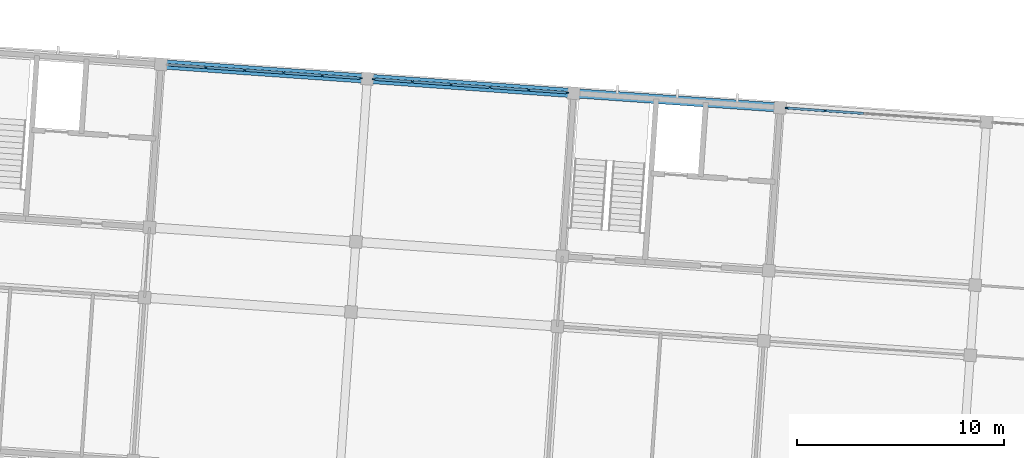
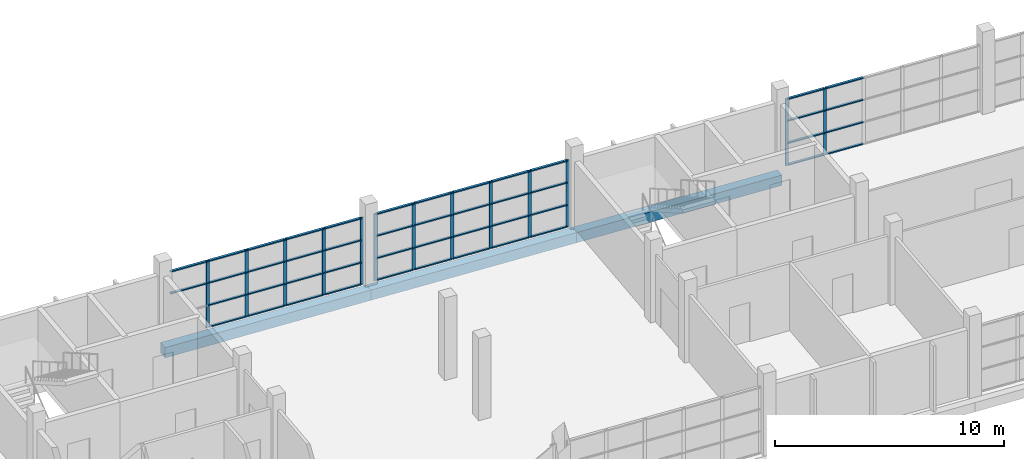
# One storey, part 48 of 115: 59 members, 3 beams, 3 elements without a shape of their own.
"""IFC4 building model written with IfcOpenShell, lengths in metres."""

from ifc_helpers import new_model, si_unit, direction, frame, origin, origin_2d, place, context, subcontext, project, spatial, rectangle, extrude, material, material_profile, profile_set, type_object, element, aggregate, save


model = new_model("IFC4")

# Units and contexts
model_context = context("Model", 3, precision=1e-05, world=origin(), true_north=direction((0.0, 1.0)))
body_context = subcontext(model_context, "Body", "Model", "MODEL_VIEW")
ifc_project = project(units=[si_unit("LENGTHUNIT", "METRE"), si_unit("AREAUNIT", "SQUARE_METRE"), si_unit("VOLUMEUNIT", "CUBIC_METRE"), si_unit("PLANEANGLEUNIT", "RADIAN"), si_unit("MASSUNIT", "GRAM", prefix="KILO")], contexts=[model_context])

# Site, building, storey
site_placement = place(None, origin())
site = spatial("IfcSite", under=ifc_project, at=site_placement, CompositionType="ELEMENT")
building_placement = place(site_placement, origin())
building = spatial("IfcBuilding", under=site, at=building_placement, Name="Windward Yard Aquatics Centre", CompositionType="ELEMENT")
storey_placement = place(building_placement, frame((0.0, 0.0, 5.0)))
storey = spatial("IfcBuildingStorey", under=building, at=storey_placement, Name="L01", CompositionType="ELEMENT", Elevation=5.0)

# Curtain wall, members
ifc_material_1 = material(Name="Aluminium curtain wall system", Category="aluminium")
curtain_wall_type = type_object("IfcCurtainWallType", Name="W curtain wall 1900", PredefinedType="NOTDEFINED", material=ifc_material_1)
curtain_wall_1_placement = place(storey_placement, origin())
curtain_wall_1 = element("IfcCurtainWall", 1, at=curtain_wall_1_placement, inside=storey, type_object=curtain_wall_type, Name="Wing north glazing L01 3", PredefinedType="NOTDEFINED")
ifc_material_2 = material(Name="Aluminium mullion", Category="aluminium")
ifc_material_profile_1 = material_profile(ifc_material_2, rectangle(XDim=0.06005859375, YDim=0.159912109375, at=origin_2d()), Name="AL 60x160")
ifc_profile_set_1 = profile_set([ifc_material_profile_1], Name="Aluminium mullion")
member_type_1 = type_object("IfcMemberType", Name="W CW mullion 60x160", PredefinedType="MULLION", material=ifc_profile_set_1)
member_1_placement = place(storey_placement, frame((131.32861328125, 134.47119140625, 0.0), z_axis=(0.0, 0.0, 1.0), x_axis=(0.069755340111, 0.997564129531, 0.0)))
member_1 = element("IfcMember", 2, at=member_1_placement, type_object=member_type_1, Name="WCW1 mullion 2", PredefinedType="MULLION", context=body_context, shape_type="SweptSolid", body=[
    extrude(rectangle(XDim=0.06005859375, YDim=0.159912109375, at=origin_2d()), origin(), (0.0, 0.0, 1.0), 3.570068359375),
])
member_2_placement = place(storey_placement, frame((133.203857421875, 134.340087890625, 0.0), z_axis=(0.0, 0.0, 1.0), x_axis=(0.069755340111, 0.997564129531, 0.0)))
member_2 = element("IfcMember", 3, at=member_2_placement, type_object=member_type_1, Name="WCW1 mullion 3", PredefinedType="MULLION", context=body_context, shape_type="SweptSolid", body=[
    extrude(rectangle(XDim=0.06005859375, YDim=0.159912109375, at=origin_2d()), origin(), (0.0, 0.0, 1.0), 3.570068359375),
])
member_3_placement = place(storey_placement, frame((135.079345703125, 134.208984375, 0.0), z_axis=(0.0, 0.0, 1.0), x_axis=(0.069755340111, 0.997564129531, 0.0)))
member_3 = element("IfcMember", 4, at=member_3_placement, type_object=member_type_1, Name="WCW1 mullion 4", PredefinedType="MULLION", context=body_context, shape_type="SweptSolid", body=[
    extrude(rectangle(XDim=0.06005859375, YDim=0.159912109375, at=origin_2d()), origin(), (0.0, 0.0, 1.0), 3.570068359375),
])
member_4_placement = place(storey_placement, frame((136.954833984375, 134.07763671875, 0.0), z_axis=(0.0, 0.0, 1.0), x_axis=(0.069755340111, 0.997564129531, 0.0)))
member_4 = element("IfcMember", 5, at=member_4_placement, type_object=member_type_1, Name="WCW1 mullion 5", PredefinedType="MULLION", context=body_context, shape_type="SweptSolid", body=[
    extrude(rectangle(XDim=0.06005859375, YDim=0.159912109375, at=origin_2d()), origin(), (0.0, 0.0, 1.0), 3.570068359375),
])
member_5_placement = place(storey_placement, frame((138.80029296875, 133.94873046875, 0.0), z_axis=(0.0, 0.0, 1.0), x_axis=(0.069755340111, 0.997564129531, 0.0)))
member_5 = element("IfcMember", 6, at=member_5_placement, type_object=member_type_1, Name="WCW1 mullion 6", PredefinedType="MULLION", context=body_context, shape_type="SweptSolid", body=[
    extrude(rectangle(XDim=0.06005859375, YDim=0.159912109375, at=origin_2d()), origin(), (0.0, 0.0, 1.0), 3.570068359375),
])

curtain_wall_2_placement = place(storey_placement, origin())
curtain_wall_2 = element("IfcCurtainWall", 7, at=curtain_wall_2_placement, inside=storey, type_object=curtain_wall_type, Name="Wing north glazing L01 4", PredefinedType="NOTDEFINED")
member_6_placement = place(storey_placement, frame((139.458740234375, 133.902587890625, 0.0), z_axis=(0.0, 0.0, 1.0), x_axis=(0.069755340111, 0.997564129531, 0.0)))
member_6 = element("IfcMember", 8, at=member_6_placement, type_object=member_type_1, Name="WCW1 mullion 1", PredefinedType="MULLION", context=body_context, shape_type="SweptSolid", body=[
    extrude(rectangle(XDim=0.06005859375, YDim=0.159912109375, at=origin_2d()), origin(), (0.0, 0.0, 1.0), 3.570068359375),
])
member_7_placement = place(storey_placement, frame((141.30419921875, 133.773681640625, 0.0), z_axis=(0.0, 0.0, 1.0), x_axis=(0.069755340111, 0.997564129531, 0.0)))
member_7 = element("IfcMember", 9, at=member_7_placement, type_object=member_type_1, Name="WCW1 mullion 2", PredefinedType="MULLION", context=body_context, shape_type="SweptSolid", body=[
    extrude(rectangle(XDim=0.06005859375, YDim=0.159912109375, at=origin_2d()), origin(), (0.0, 0.0, 1.0), 3.570068359375),
])
member_8_placement = place(storey_placement, frame((143.179443359375, 133.642333984375, 0.0), z_axis=(0.0, 0.0, 1.0), x_axis=(0.069755340111, 0.997564129531, 0.0)))
member_8 = element("IfcMember", 10, at=member_8_placement, type_object=member_type_1, Name="WCW1 mullion 3", PredefinedType="MULLION", context=body_context, shape_type="SweptSolid", body=[
    extrude(rectangle(XDim=0.06005859375, YDim=0.159912109375, at=origin_2d()), origin(), (0.0, 0.0, 1.0), 3.570068359375),
])
member_9_placement = place(storey_placement, frame((145.054931640625, 133.51123046875, 0.0), z_axis=(0.0, 0.0, 1.0), x_axis=(0.069755340111, 0.997564129531, 0.0)))
member_9 = element("IfcMember", 11, at=member_9_placement, type_object=member_type_1, Name="WCW1 mullion 4", PredefinedType="MULLION", context=body_context, shape_type="SweptSolid", body=[
    extrude(rectangle(XDim=0.06005859375, YDim=0.159912109375, at=origin_2d()), origin(), (0.0, 0.0, 1.0), 3.570068359375),
])
member_10_placement = place(storey_placement, frame((146.930419921875, 133.380126953125, 0.0), z_axis=(0.0, 0.0, 1.0), x_axis=(0.069755340111, 0.997564129531, 0.0)))
member_10 = element("IfcMember", 12, at=member_10_placement, type_object=member_type_1, Name="WCW1 mullion 5", PredefinedType="MULLION", context=body_context, shape_type="SweptSolid", body=[
    extrude(rectangle(XDim=0.06005859375, YDim=0.159912109375, at=origin_2d()), origin(), (0.0, 0.0, 1.0), 3.570068359375),
])
member_11_placement = place(storey_placement, frame((148.77587890625, 133.2509765625, 0.0), z_axis=(0.0, 0.0, 1.0), x_axis=(0.069755340111, 0.997564129531, 0.0)))
member_11 = element("IfcMember", 13, at=member_11_placement, type_object=member_type_1, Name="WCW1 mullion 6", PredefinedType="MULLION", context=body_context, shape_type="SweptSolid", body=[
    extrude(rectangle(XDim=0.06005859375, YDim=0.159912109375, at=origin_2d()), origin(), (0.0, 0.0, 1.0), 3.570068359375),
])

curtain_wall_3_placement = place(storey_placement, origin())
curtain_wall_3 = element("IfcCurtainWall", 14, at=curtain_wall_3_placement, inside=storey, type_object=curtain_wall_type, Name="Wing north glazing L01 5", PredefinedType="NOTDEFINED")
member_12_placement = place(storey_placement, frame((159.409912109375, 132.507568359375, 0.0), z_axis=(0.0, 0.0, 1.0), x_axis=(0.069755340111, 0.997564129531, 0.0)))
member_12 = element("IfcMember", 15, at=member_12_placement, type_object=member_type_1, Name="WCW1 mullion 1", PredefinedType="MULLION", context=body_context, shape_type="SweptSolid", body=[
    extrude(rectangle(XDim=0.06005859375, YDim=0.159912109375, at=origin_2d()), origin(), (0.0, 0.0, 1.0), 3.570068359375),
])
member_13_placement = place(storey_placement, frame((161.25537109375, 132.37841796875, 0.0), z_axis=(0.0, 0.0, 1.0), x_axis=(0.069755340111, 0.997564129531, 0.0)))
member_13 = element("IfcMember", 16, at=member_13_placement, type_object=member_type_1, Name="WCW1 mullion 2", PredefinedType="MULLION", context=body_context, shape_type="SweptSolid", body=[
    extrude(rectangle(XDim=0.06005859375, YDim=0.159912109375, at=origin_2d()), origin(), (0.0, 0.0, 1.0), 3.570068359375),
])

# Member
ifc_material_3 = material(Name="Aluminium transom", Category="aluminium")
ifc_material_profile_2 = material_profile(ifc_material_3, rectangle(XDim=0.1201171875, YDim=0.06005859375, at=origin_2d()), Name="AL 120x60")
ifc_profile_set_2 = profile_set([ifc_material_profile_2], Name="Aluminium transom")
member_type_2 = type_object("IfcMemberType", Name="W CW transom 120x60", PredefinedType="USERDEFINED", material=ifc_profile_set_2)
member_14_placement = place(storey_placement, frame((129.512939453125, 134.59814453125, 2.3798828125), z_axis=(0.997558777123, -0.069831842205, 0.0), x_axis=(0.069831842205, 0.997558777123, 0.0)))
member_14 = element("IfcMember", 17, at=member_14_placement, type_object=member_type_2, Name="WCW1 transom 1.3", ObjectType="TRANSOM", PredefinedType="USERDEFINED", context=body_context, shape_type="SweptSolid", body=[
    extrude(rectangle(XDim=0.1201171875, YDim=0.06005859375, at=origin_2d()), origin(), (0.0, 0.0, 1.0), 1.7900390625),
])

member_15_placement = place(storey_placement, frame((129.512939453125, 134.59814453125, 3.5400390625), z_axis=(0.997558777123, -0.069831842205, 0.0), x_axis=(0.069831842205, 0.997558777123, 0.0)))
member_15 = element("IfcMember", 18, at=member_15_placement, type_object=member_type_2, Name="WCW1 transom 1.4", ObjectType="TRANSOM", PredefinedType="USERDEFINED", context=body_context, shape_type="SweptSolid", body=[
    extrude(rectangle(XDim=0.1201171875, YDim=0.06005859375, at=origin_2d()), origin(), (0.0, 0.0, 1.0), 1.7900390625),
])

member_16_placement = place(storey_placement, frame((131.3583984375, 134.468994140625, 0.030029296875), z_axis=(0.99756447681, -0.06975037353, 0.0), x_axis=(0.06975037353, 0.99756447681, 0.0)))
member_16 = element("IfcMember", 19, at=member_16_placement, type_object=member_type_2, Name="WCW1 transom 2.1", ObjectType="TRANSOM", PredefinedType="USERDEFINED", context=body_context, shape_type="SweptSolid", body=[
    extrude(rectangle(XDim=0.1201171875, YDim=0.06005859375, at=origin_2d()), origin(), (0.0, 0.0, 1.0), 1.820068359375),
])

member_17_placement = place(storey_placement, frame((131.3583984375, 134.468994140625, 1.18994140625), z_axis=(0.99756447681, -0.06975037353, 0.0), x_axis=(0.06975037353, 0.99756447681, 0.0)))
member_17 = element("IfcMember", 20, at=member_17_placement, type_object=member_type_2, Name="WCW1 transom 2.2", ObjectType="TRANSOM", PredefinedType="USERDEFINED", context=body_context, shape_type="SweptSolid", body=[
    extrude(rectangle(XDim=0.1201171875, YDim=0.06005859375, at=origin_2d()), origin(), (0.0, 0.0, 1.0), 1.820068359375),
])

member_18_placement = place(storey_placement, frame((131.3583984375, 134.468994140625, 2.3798828125), z_axis=(0.99756447681, -0.06975037353, 0.0), x_axis=(0.06975037353, 0.99756447681, 0.0)))
member_18 = element("IfcMember", 21, at=member_18_placement, type_object=member_type_2, Name="WCW1 transom 2.3", ObjectType="TRANSOM", PredefinedType="USERDEFINED", context=body_context, shape_type="SweptSolid", body=[
    extrude(rectangle(XDim=0.1201171875, YDim=0.06005859375, at=origin_2d()), origin(), (0.0, 0.0, 1.0), 1.820068359375),
])

member_19_placement = place(storey_placement, frame((131.3583984375, 134.468994140625, 3.5400390625), z_axis=(0.99756447681, -0.06975037353, 0.0), x_axis=(0.06975037353, 0.99756447681, 0.0)))
member_19 = element("IfcMember", 22, at=member_19_placement, type_object=member_type_2, Name="WCW1 transom 2.4", ObjectType="TRANSOM", PredefinedType="USERDEFINED", context=body_context, shape_type="SweptSolid", body=[
    extrude(rectangle(XDim=0.1201171875, YDim=0.06005859375, at=origin_2d()), origin(), (0.0, 0.0, 1.0), 1.820068359375),
])

member_20_placement = place(storey_placement, frame((133.23388671875, 134.337890625, 0.030029296875), z_axis=(0.997563824095, -0.069759707979, 0.0), x_axis=(0.069759707979, 0.997563824095, 0.0)))
member_20 = element("IfcMember", 23, at=member_20_placement, type_object=member_type_2, Name="WCW1 transom 3.1", ObjectType="TRANSOM", PredefinedType="USERDEFINED", context=body_context, shape_type="SweptSolid", body=[
    extrude(rectangle(XDim=0.1201171875, YDim=0.06005859375, at=origin_2d()), origin(), (0.0, 0.0, 1.0), 1.81982421875),
])

member_21_placement = place(storey_placement, frame((133.23388671875, 134.337890625, 1.18994140625), z_axis=(0.997563824095, -0.069759707979, 0.0), x_axis=(0.069759707979, 0.997563824095, 0.0)))
member_21 = element("IfcMember", 24, at=member_21_placement, type_object=member_type_2, Name="WCW1 transom 3.2", ObjectType="TRANSOM", PredefinedType="USERDEFINED", context=body_context, shape_type="SweptSolid", body=[
    extrude(rectangle(XDim=0.1201171875, YDim=0.06005859375, at=origin_2d()), origin(), (0.0, 0.0, 1.0), 1.81982421875),
])

member_22_placement = place(storey_placement, frame((133.23388671875, 134.337890625, 2.3798828125), z_axis=(0.997563824095, -0.069759707979, 0.0), x_axis=(0.069759707979, 0.997563824095, 0.0)))
member_22 = element("IfcMember", 25, at=member_22_placement, type_object=member_type_2, Name="WCW1 transom 3.3", ObjectType="TRANSOM", PredefinedType="USERDEFINED", context=body_context, shape_type="SweptSolid", body=[
    extrude(rectangle(XDim=0.1201171875, YDim=0.06005859375, at=origin_2d()), origin(), (0.0, 0.0, 1.0), 1.81982421875),
])

member_23_placement = place(storey_placement, frame((133.23388671875, 134.337890625, 3.5400390625), z_axis=(0.997563824095, -0.069759707979, 0.0), x_axis=(0.069759707979, 0.997563824095, 0.0)))
member_23 = element("IfcMember", 26, at=member_23_placement, type_object=member_type_2, Name="WCW1 transom 3.4", ObjectType="TRANSOM", PredefinedType="USERDEFINED", context=body_context, shape_type="SweptSolid", body=[
    extrude(rectangle(XDim=0.1201171875, YDim=0.06005859375, at=origin_2d()), origin(), (0.0, 0.0, 1.0), 1.81982421875),
])

member_24_placement = place(storey_placement, frame((135.109375, 134.206787109375, 0.030029296875), z_axis=(0.997563824095, -0.069759707979, 0.0), x_axis=(0.069759707979, 0.997563824095, 0.0)))
member_24 = element("IfcMember", 27, at=member_24_placement, type_object=member_type_2, Name="WCW1 transom 4.1", ObjectType="TRANSOM", PredefinedType="USERDEFINED", context=body_context, shape_type="SweptSolid", body=[
    extrude(rectangle(XDim=0.1201171875, YDim=0.06005859375, at=origin_2d()), origin(), (0.0, 0.0, 1.0), 1.81982421875),
])

member_25_placement = place(storey_placement, frame((135.109375, 134.206787109375, 1.18994140625), z_axis=(0.997563824095, -0.069759707979, 0.0), x_axis=(0.069759707979, 0.997563824095, 0.0)))
member_25 = element("IfcMember", 28, at=member_25_placement, type_object=member_type_2, Name="WCW1 transom 4.2", ObjectType="TRANSOM", PredefinedType="USERDEFINED", context=body_context, shape_type="SweptSolid", body=[
    extrude(rectangle(XDim=0.1201171875, YDim=0.06005859375, at=origin_2d()), origin(), (0.0, 0.0, 1.0), 1.81982421875),
])

member_26_placement = place(storey_placement, frame((135.109375, 134.206787109375, 2.3798828125), z_axis=(0.997563824095, -0.069759707979, 0.0), x_axis=(0.069759707979, 0.997563824095, 0.0)))
member_26 = element("IfcMember", 29, at=member_26_placement, type_object=member_type_2, Name="WCW1 transom 4.3", ObjectType="TRANSOM", PredefinedType="USERDEFINED", context=body_context, shape_type="SweptSolid", body=[
    extrude(rectangle(XDim=0.1201171875, YDim=0.06005859375, at=origin_2d()), origin(), (0.0, 0.0, 1.0), 1.81982421875),
])

member_27_placement = place(storey_placement, frame((135.109375, 134.206787109375, 3.5400390625), z_axis=(0.997563824095, -0.069759707979, 0.0), x_axis=(0.069759707979, 0.997563824095, 0.0)))
member_27 = element("IfcMember", 30, at=member_27_placement, type_object=member_type_2, Name="WCW1 transom 4.4", ObjectType="TRANSOM", PredefinedType="USERDEFINED", context=body_context, shape_type="SweptSolid", body=[
    extrude(rectangle(XDim=0.1201171875, YDim=0.06005859375, at=origin_2d()), origin(), (0.0, 0.0, 1.0), 1.81982421875),
])

member_28_placement = place(storey_placement, frame((136.984619140625, 134.07568359375, 0.030029296875), z_axis=(0.997558777123, -0.069831842205, 0.0), x_axis=(0.069831842205, 0.997558777123, 0.0)))
member_28 = element("IfcMember", 31, at=member_28_placement, type_object=member_type_2, Name="WCW1 transom 5.1", ObjectType="TRANSOM", PredefinedType="USERDEFINED", context=body_context, shape_type="SweptSolid", body=[
    extrude(rectangle(XDim=0.1201171875, YDim=0.06005859375, at=origin_2d()), origin(), (0.0, 0.0, 1.0), 1.7900390625),
])

member_29_placement = place(storey_placement, frame((136.984619140625, 134.07568359375, 1.18994140625), z_axis=(0.997558777123, -0.069831842205, 0.0), x_axis=(0.069831842205, 0.997558777123, 0.0)))
member_29 = element("IfcMember", 32, at=member_29_placement, type_object=member_type_2, Name="WCW1 transom 5.2", ObjectType="TRANSOM", PredefinedType="USERDEFINED", context=body_context, shape_type="SweptSolid", body=[
    extrude(rectangle(XDim=0.1201171875, YDim=0.06005859375, at=origin_2d()), origin(), (0.0, 0.0, 1.0), 1.7900390625),
])

member_30_placement = place(storey_placement, frame((136.984619140625, 134.07568359375, 2.3798828125), z_axis=(0.997558777123, -0.069831842205, 0.0), x_axis=(0.069831842205, 0.997558777123, 0.0)))
member_30 = element("IfcMember", 33, at=member_30_placement, type_object=member_type_2, Name="WCW1 transom 5.3", ObjectType="TRANSOM", PredefinedType="USERDEFINED", context=body_context, shape_type="SweptSolid", body=[
    extrude(rectangle(XDim=0.1201171875, YDim=0.06005859375, at=origin_2d()), origin(), (0.0, 0.0, 1.0), 1.7900390625),
])

member_31_placement = place(storey_placement, frame((136.984619140625, 134.07568359375, 3.5400390625), z_axis=(0.997558777123, -0.069831842205, 0.0), x_axis=(0.069831842205, 0.997558777123, 0.0)))
member_31 = element("IfcMember", 34, at=member_31_placement, type_object=member_type_2, Name="WCW1 transom 5.4", ObjectType="TRANSOM", PredefinedType="USERDEFINED", context=body_context, shape_type="SweptSolid", body=[
    extrude(rectangle(XDim=0.1201171875, YDim=0.06005859375, at=origin_2d()), origin(), (0.0, 0.0, 1.0), 1.7900390625),
])

aggregate(curtain_wall_1, [member_1, member_2, member_3, member_4, member_5, member_14, member_15, member_16, member_17, member_18, member_19, member_20, member_21, member_22, member_23, member_24, member_25, member_26, member_27, member_28, member_29, member_30, member_31])

member_32_placement = place(storey_placement, frame((139.488525390625, 133.900634765625, 0.030029296875), z_axis=(0.997558777123, -0.069831842205, 0.0), x_axis=(0.069831842205, 0.997558777123, 0.0)))
member_32 = element("IfcMember", 35, at=member_32_placement, type_object=member_type_2, Name="WCW1 transom 1.1", ObjectType="TRANSOM", PredefinedType="USERDEFINED", context=body_context, shape_type="SweptSolid", body=[
    extrude(rectangle(XDim=0.1201171875, YDim=0.06005859375, at=origin_2d()), origin(), (0.0, 0.0, 1.0), 1.7900390625),
])

member_33_placement = place(storey_placement, frame((139.488525390625, 133.900634765625, 1.18994140625), z_axis=(0.997558777123, -0.069831842205, 0.0), x_axis=(0.069831842205, 0.997558777123, 0.0)))
member_33 = element("IfcMember", 36, at=member_33_placement, type_object=member_type_2, Name="WCW1 transom 1.2", ObjectType="TRANSOM", PredefinedType="USERDEFINED", context=body_context, shape_type="SweptSolid", body=[
    extrude(rectangle(XDim=0.1201171875, YDim=0.06005859375, at=origin_2d()), origin(), (0.0, 0.0, 1.0), 1.7900390625),
])

member_34_placement = place(storey_placement, frame((139.488525390625, 133.900634765625, 2.3798828125), z_axis=(0.997558777123, -0.069831842205, 0.0), x_axis=(0.069831842205, 0.997558777123, 0.0)))
member_34 = element("IfcMember", 37, at=member_34_placement, type_object=member_type_2, Name="WCW1 transom 1.3", ObjectType="TRANSOM", PredefinedType="USERDEFINED", context=body_context, shape_type="SweptSolid", body=[
    extrude(rectangle(XDim=0.1201171875, YDim=0.06005859375, at=origin_2d()), origin(), (0.0, 0.0, 1.0), 1.7900390625),
])

member_35_placement = place(storey_placement, frame((139.488525390625, 133.900634765625, 3.5400390625), z_axis=(0.997558777123, -0.069831842205, 0.0), x_axis=(0.069831842205, 0.997558777123, 0.0)))
member_35 = element("IfcMember", 38, at=member_35_placement, type_object=member_type_2, Name="WCW1 transom 1.4", ObjectType="TRANSOM", PredefinedType="USERDEFINED", context=body_context, shape_type="SweptSolid", body=[
    extrude(rectangle(XDim=0.1201171875, YDim=0.06005859375, at=origin_2d()), origin(), (0.0, 0.0, 1.0), 1.7900390625),
])

member_36_placement = place(storey_placement, frame((141.333984375, 133.771484375, 0.030029296875), z_axis=(0.99756447681, -0.06975037353, 0.0), x_axis=(0.06975037353, 0.99756447681, 0.0)))
member_36 = element("IfcMember", 39, at=member_36_placement, type_object=member_type_2, Name="WCW1 transom 2.1", ObjectType="TRANSOM", PredefinedType="USERDEFINED", context=body_context, shape_type="SweptSolid", body=[
    extrude(rectangle(XDim=0.1201171875, YDim=0.06005859375, at=origin_2d()), origin(), (0.0, 0.0, 1.0), 1.820068359375),
])

member_37_placement = place(storey_placement, frame((141.333984375, 133.771484375, 1.18994140625), z_axis=(0.99756447681, -0.06975037353, 0.0), x_axis=(0.06975037353, 0.99756447681, 0.0)))
member_37 = element("IfcMember", 40, at=member_37_placement, type_object=member_type_2, Name="WCW1 transom 2.2", ObjectType="TRANSOM", PredefinedType="USERDEFINED", context=body_context, shape_type="SweptSolid", body=[
    extrude(rectangle(XDim=0.1201171875, YDim=0.06005859375, at=origin_2d()), origin(), (0.0, 0.0, 1.0), 1.820068359375),
])

member_38_placement = place(storey_placement, frame((141.333984375, 133.771484375, 2.3798828125), z_axis=(0.99756447681, -0.06975037353, 0.0), x_axis=(0.06975037353, 0.99756447681, 0.0)))
member_38 = element("IfcMember", 41, at=member_38_placement, type_object=member_type_2, Name="WCW1 transom 2.3", ObjectType="TRANSOM", PredefinedType="USERDEFINED", context=body_context, shape_type="SweptSolid", body=[
    extrude(rectangle(XDim=0.1201171875, YDim=0.06005859375, at=origin_2d()), origin(), (0.0, 0.0, 1.0), 1.820068359375),
])

member_39_placement = place(storey_placement, frame((141.333984375, 133.771484375, 3.5400390625), z_axis=(0.99756447681, -0.06975037353, 0.0), x_axis=(0.06975037353, 0.99756447681, 0.0)))
member_39 = element("IfcMember", 42, at=member_39_placement, type_object=member_type_2, Name="WCW1 transom 2.4", ObjectType="TRANSOM", PredefinedType="USERDEFINED", context=body_context, shape_type="SweptSolid", body=[
    extrude(rectangle(XDim=0.1201171875, YDim=0.06005859375, at=origin_2d()), origin(), (0.0, 0.0, 1.0), 1.820068359375),
])

member_40_placement = place(storey_placement, frame((143.20947265625, 133.640380859375, 0.030029296875), z_axis=(0.99756447681, -0.06975037353, 0.0), x_axis=(0.06975037353, 0.99756447681, 0.0)))
member_40 = element("IfcMember", 43, at=member_40_placement, type_object=member_type_2, Name="WCW1 transom 3.1", ObjectType="TRANSOM", PredefinedType="USERDEFINED", context=body_context, shape_type="SweptSolid", body=[
    extrude(rectangle(XDim=0.1201171875, YDim=0.06005859375, at=origin_2d()), origin(), (0.0, 0.0, 1.0), 1.820068359375),
])

member_41_placement = place(storey_placement, frame((143.20947265625, 133.640380859375, 1.18994140625), z_axis=(0.99756447681, -0.06975037353, 0.0), x_axis=(0.06975037353, 0.99756447681, 0.0)))
member_41 = element("IfcMember", 44, at=member_41_placement, type_object=member_type_2, Name="WCW1 transom 3.2", ObjectType="TRANSOM", PredefinedType="USERDEFINED", context=body_context, shape_type="SweptSolid", body=[
    extrude(rectangle(XDim=0.1201171875, YDim=0.06005859375, at=origin_2d()), origin(), (0.0, 0.0, 1.0), 1.820068359375),
])

member_42_placement = place(storey_placement, frame((143.20947265625, 133.640380859375, 2.3798828125), z_axis=(0.99756447681, -0.06975037353, 0.0), x_axis=(0.06975037353, 0.99756447681, 0.0)))
member_42 = element("IfcMember", 45, at=member_42_placement, type_object=member_type_2, Name="WCW1 transom 3.3", ObjectType="TRANSOM", PredefinedType="USERDEFINED", context=body_context, shape_type="SweptSolid", body=[
    extrude(rectangle(XDim=0.1201171875, YDim=0.06005859375, at=origin_2d()), origin(), (0.0, 0.0, 1.0), 1.820068359375),
])

member_43_placement = place(storey_placement, frame((143.20947265625, 133.640380859375, 3.5400390625), z_axis=(0.99756447681, -0.06975037353, 0.0), x_axis=(0.06975037353, 0.99756447681, 0.0)))
member_43 = element("IfcMember", 46, at=member_43_placement, type_object=member_type_2, Name="WCW1 transom 3.4", ObjectType="TRANSOM", PredefinedType="USERDEFINED", context=body_context, shape_type="SweptSolid", body=[
    extrude(rectangle(XDim=0.1201171875, YDim=0.06005859375, at=origin_2d()), origin(), (0.0, 0.0, 1.0), 1.820068359375),
])

member_44_placement = place(storey_placement, frame((145.0849609375, 133.50927734375, 0.030029296875), z_axis=(0.997563824095, -0.069759707979, 0.0), x_axis=(0.069759707979, 0.997563824095, 0.0)))
member_44 = element("IfcMember", 47, at=member_44_placement, type_object=member_type_2, Name="WCW1 transom 4.1", ObjectType="TRANSOM", PredefinedType="USERDEFINED", context=body_context, shape_type="SweptSolid", body=[
    extrude(rectangle(XDim=0.1201171875, YDim=0.06005859375, at=origin_2d()), origin(), (0.0, 0.0, 1.0), 1.81982421875),
])

member_45_placement = place(storey_placement, frame((145.0849609375, 133.50927734375, 1.18994140625), z_axis=(0.997563824095, -0.069759707979, 0.0), x_axis=(0.069759707979, 0.997563824095, 0.0)))
member_45 = element("IfcMember", 48, at=member_45_placement, type_object=member_type_2, Name="WCW1 transom 4.2", ObjectType="TRANSOM", PredefinedType="USERDEFINED", context=body_context, shape_type="SweptSolid", body=[
    extrude(rectangle(XDim=0.1201171875, YDim=0.06005859375, at=origin_2d()), origin(), (0.0, 0.0, 1.0), 1.81982421875),
])

member_46_placement = place(storey_placement, frame((145.0849609375, 133.50927734375, 2.3798828125), z_axis=(0.997563824095, -0.069759707979, 0.0), x_axis=(0.069759707979, 0.997563824095, 0.0)))
member_46 = element("IfcMember", 49, at=member_46_placement, type_object=member_type_2, Name="WCW1 transom 4.3", ObjectType="TRANSOM", PredefinedType="USERDEFINED", context=body_context, shape_type="SweptSolid", body=[
    extrude(rectangle(XDim=0.1201171875, YDim=0.06005859375, at=origin_2d()), origin(), (0.0, 0.0, 1.0), 1.81982421875),
])

member_47_placement = place(storey_placement, frame((145.0849609375, 133.50927734375, 3.5400390625), z_axis=(0.997563824095, -0.069759707979, 0.0), x_axis=(0.069759707979, 0.997563824095, 0.0)))
member_47 = element("IfcMember", 50, at=member_47_placement, type_object=member_type_2, Name="WCW1 transom 4.4", ObjectType="TRANSOM", PredefinedType="USERDEFINED", context=body_context, shape_type="SweptSolid", body=[
    extrude(rectangle(XDim=0.1201171875, YDim=0.06005859375, at=origin_2d()), origin(), (0.0, 0.0, 1.0), 1.81982421875),
])

member_48_placement = place(storey_placement, frame((146.960205078125, 133.3779296875, 0.030029296875), z_axis=(0.997568269116, -0.069696115056, 0.0), x_axis=(0.069696115056, 0.997568269116, 0.0)))
member_48 = element("IfcMember", 51, at=member_48_placement, type_object=member_type_2, Name="WCW1 transom 5.1", ObjectType="TRANSOM", PredefinedType="USERDEFINED", context=body_context, shape_type="SweptSolid", body=[
    extrude(rectangle(XDim=0.1201171875, YDim=0.06005859375, at=origin_2d()), origin(), (0.0, 0.0, 1.0), 1.7900390625),
])

member_49_placement = place(storey_placement, frame((146.960205078125, 133.3779296875, 1.18994140625), z_axis=(0.997568269116, -0.069696115056, 0.0), x_axis=(0.069696115056, 0.997568269116, 0.0)))
member_49 = element("IfcMember", 52, at=member_49_placement, type_object=member_type_2, Name="WCW1 transom 5.2", ObjectType="TRANSOM", PredefinedType="USERDEFINED", context=body_context, shape_type="SweptSolid", body=[
    extrude(rectangle(XDim=0.1201171875, YDim=0.06005859375, at=origin_2d()), origin(), (0.0, 0.0, 1.0), 1.7900390625),
])

member_50_placement = place(storey_placement, frame((146.960205078125, 133.3779296875, 2.3798828125), z_axis=(0.997568269116, -0.069696115056, 0.0), x_axis=(0.069696115056, 0.997568269116, 0.0)))
member_50 = element("IfcMember", 53, at=member_50_placement, type_object=member_type_2, Name="WCW1 transom 5.3", ObjectType="TRANSOM", PredefinedType="USERDEFINED", context=body_context, shape_type="SweptSolid", body=[
    extrude(rectangle(XDim=0.1201171875, YDim=0.06005859375, at=origin_2d()), origin(), (0.0, 0.0, 1.0), 1.7900390625),
])

member_51_placement = place(storey_placement, frame((146.960205078125, 133.3779296875, 3.5400390625), z_axis=(0.997568269116, -0.069696115056, 0.0), x_axis=(0.069696115056, 0.997568269116, 0.0)))
member_51 = element("IfcMember", 54, at=member_51_placement, type_object=member_type_2, Name="WCW1 transom 5.4", ObjectType="TRANSOM", PredefinedType="USERDEFINED", context=body_context, shape_type="SweptSolid", body=[
    extrude(rectangle(XDim=0.1201171875, YDim=0.06005859375, at=origin_2d()), origin(), (0.0, 0.0, 1.0), 1.7900390625),
])

aggregate(curtain_wall_2, [member_6, member_7, member_8, member_9, member_10, member_11, member_32, member_33, member_34, member_35, member_36, member_37, member_38, member_39, member_40, member_41, member_42, member_43, member_44, member_45, member_46, member_47, member_48, member_49, member_50, member_51])

member_52_placement = place(storey_placement, frame((159.43994140625, 132.50537109375, 0.030029296875), z_axis=(0.997568269116, -0.069696115056, 0.0), x_axis=(0.069696115056, 0.997568269116, 0.0)))
member_52 = element("IfcMember", 55, at=member_52_placement, type_object=member_type_2, Name="WCW1 transom 1.1", ObjectType="TRANSOM", PredefinedType="USERDEFINED", context=body_context, shape_type="SweptSolid", body=[
    extrude(rectangle(XDim=0.1201171875, YDim=0.06005859375, at=origin_2d()), origin(), (0.0, 0.0, 1.0), 1.7900390625),
])

member_53_placement = place(storey_placement, frame((159.43994140625, 132.50537109375, 1.18994140625), z_axis=(0.997568269116, -0.069696115056, 0.0), x_axis=(0.069696115056, 0.997568269116, 0.0)))
member_53 = element("IfcMember", 56, at=member_53_placement, type_object=member_type_2, Name="WCW1 transom 1.2", ObjectType="TRANSOM", PredefinedType="USERDEFINED", context=body_context, shape_type="SweptSolid", body=[
    extrude(rectangle(XDim=0.1201171875, YDim=0.06005859375, at=origin_2d()), origin(), (0.0, 0.0, 1.0), 1.7900390625),
])

member_54_placement = place(storey_placement, frame((159.43994140625, 132.50537109375, 2.3798828125), z_axis=(0.997568269116, -0.069696115056, 0.0), x_axis=(0.069696115056, 0.997568269116, 0.0)))
member_54 = element("IfcMember", 57, at=member_54_placement, type_object=member_type_2, Name="WCW1 transom 1.3", ObjectType="TRANSOM", PredefinedType="USERDEFINED", context=body_context, shape_type="SweptSolid", body=[
    extrude(rectangle(XDim=0.1201171875, YDim=0.06005859375, at=origin_2d()), origin(), (0.0, 0.0, 1.0), 1.7900390625),
])

member_55_placement = place(storey_placement, frame((159.43994140625, 132.50537109375, 3.5400390625), z_axis=(0.997568269116, -0.069696115056, 0.0), x_axis=(0.069696115056, 0.997568269116, 0.0)))
member_55 = element("IfcMember", 58, at=member_55_placement, type_object=member_type_2, Name="WCW1 transom 1.4", ObjectType="TRANSOM", PredefinedType="USERDEFINED", context=body_context, shape_type="SweptSolid", body=[
    extrude(rectangle(XDim=0.1201171875, YDim=0.06005859375, at=origin_2d()), origin(), (0.0, 0.0, 1.0), 1.7900390625),
])

member_56_placement = place(storey_placement, frame((161.285400390625, 132.37646484375, 0.030029296875), z_axis=(0.997563824095, -0.069759707979, 0.0), x_axis=(0.069759707979, 0.997563824095, 0.0)))
member_56 = element("IfcMember", 59, at=member_56_placement, type_object=member_type_2, Name="WCW1 transom 2.1", ObjectType="TRANSOM", PredefinedType="USERDEFINED", context=body_context, shape_type="SweptSolid", body=[
    extrude(rectangle(XDim=0.1201171875, YDim=0.06005859375, at=origin_2d()), origin(), (0.0, 0.0, 1.0), 1.81982421875),
])

member_57_placement = place(storey_placement, frame((161.285400390625, 132.37646484375, 1.18994140625), z_axis=(0.997563824095, -0.069759707979, 0.0), x_axis=(0.069759707979, 0.997563824095, 0.0)))
member_57 = element("IfcMember", 60, at=member_57_placement, type_object=member_type_2, Name="WCW1 transom 2.2", ObjectType="TRANSOM", PredefinedType="USERDEFINED", context=body_context, shape_type="SweptSolid", body=[
    extrude(rectangle(XDim=0.1201171875, YDim=0.06005859375, at=origin_2d()), origin(), (0.0, 0.0, 1.0), 1.81982421875),
])

member_58_placement = place(storey_placement, frame((161.285400390625, 132.37646484375, 2.3798828125), z_axis=(0.997563824095, -0.069759707979, 0.0), x_axis=(0.069759707979, 0.997563824095, 0.0)))
member_58 = element("IfcMember", 61, at=member_58_placement, type_object=member_type_2, Name="WCW1 transom 2.3", ObjectType="TRANSOM", PredefinedType="USERDEFINED", context=body_context, shape_type="SweptSolid", body=[
    extrude(rectangle(XDim=0.1201171875, YDim=0.06005859375, at=origin_2d()), origin(), (0.0, 0.0, 1.0), 1.81982421875),
])

member_59_placement = place(storey_placement, frame((161.285400390625, 132.37646484375, 3.5400390625), z_axis=(0.997563824095, -0.069759707979, 0.0), x_axis=(0.069759707979, 0.997563824095, 0.0)))
member_59 = element("IfcMember", 62, at=member_59_placement, type_object=member_type_2, Name="WCW1 transom 2.4", ObjectType="TRANSOM", PredefinedType="USERDEFINED", context=body_context, shape_type="SweptSolid", body=[
    extrude(rectangle(XDim=0.1201171875, YDim=0.06005859375, at=origin_2d()), origin(), (0.0, 0.0, 1.0), 1.81982421875),
])

aggregate(curtain_wall_3, [member_12, member_13, member_52, member_53, member_54, member_55, member_56, member_57, member_58, member_59])

# Beams
ifc_material_4 = material(Name="Concrete C40/50", Category="concrete")
ifc_material_profile_3 = material_profile(ifc_material_4, rectangle(XDim=0.449951171875, YDim=0.550048828125, at=origin_2d()), Name="RC 450x550")
ifc_profile_set_3 = profile_set([ifc_material_profile_3], Name="Concrete C40/50")
beam_type = type_object("IfcBeamType", Name="W RC 450x550 beam Concrete C40/50", PredefinedType="BEAM", material=ifc_profile_set_3)
for number, where, z_axis, x_axis, name in (
    (63, (129.15380859375, 134.623291015625, -0.554931640625), (0.997562707158, -0.069775678342, 0.0), (0.069775678342, 0.997562707158, 0.0), "W.BU.L01.4.3"),
    (64, (139.12939453125, 133.925537109375, -0.554931640625), (0.997564406228, -0.069751382981, 0.0), (0.069751382981, 0.997564406228, 0.0), "W.BU.L01.4.4"),
):
    element("IfcBeam", number, at=place(storey_placement, frame(where, z_axis=z_axis, x_axis=x_axis)), inside=storey, type_object=beam_type, Name=name, PredefinedType="BEAM", context=body_context, shape_type="SweptSolid", body=[
        extrude(rectangle(XDim=0.449951171875, YDim=0.550048828125, at=origin_2d()), origin(), (0.0, 0.0, 1.0), 10.0),
    ])
beam_placement = place(storey_placement, frame((149.10498046875, 133.22802734375, -0.554931640625), z_axis=(0.997564525005, -0.069749684245, 0.0), x_axis=(0.069749684245, 0.997564525005, 0.0)))
element("IfcBeam", 65, at=beam_placement, inside=storey, type_object=beam_type, Name="W.BU.L01.4.5", PredefinedType="BEAM", context=body_context, shape_type="SweptSolid", body=[
    extrude(rectangle(XDim=0.449951171875, YDim=0.550048828125, at=origin_2d()), origin(), (0.0, 0.0, 1.0), 10.000244140625),
])

save(model, "model.ifc")
